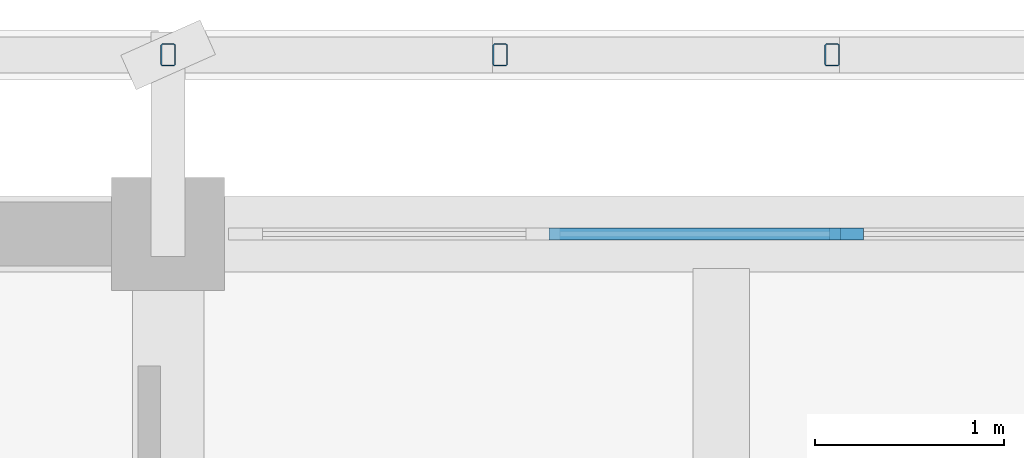
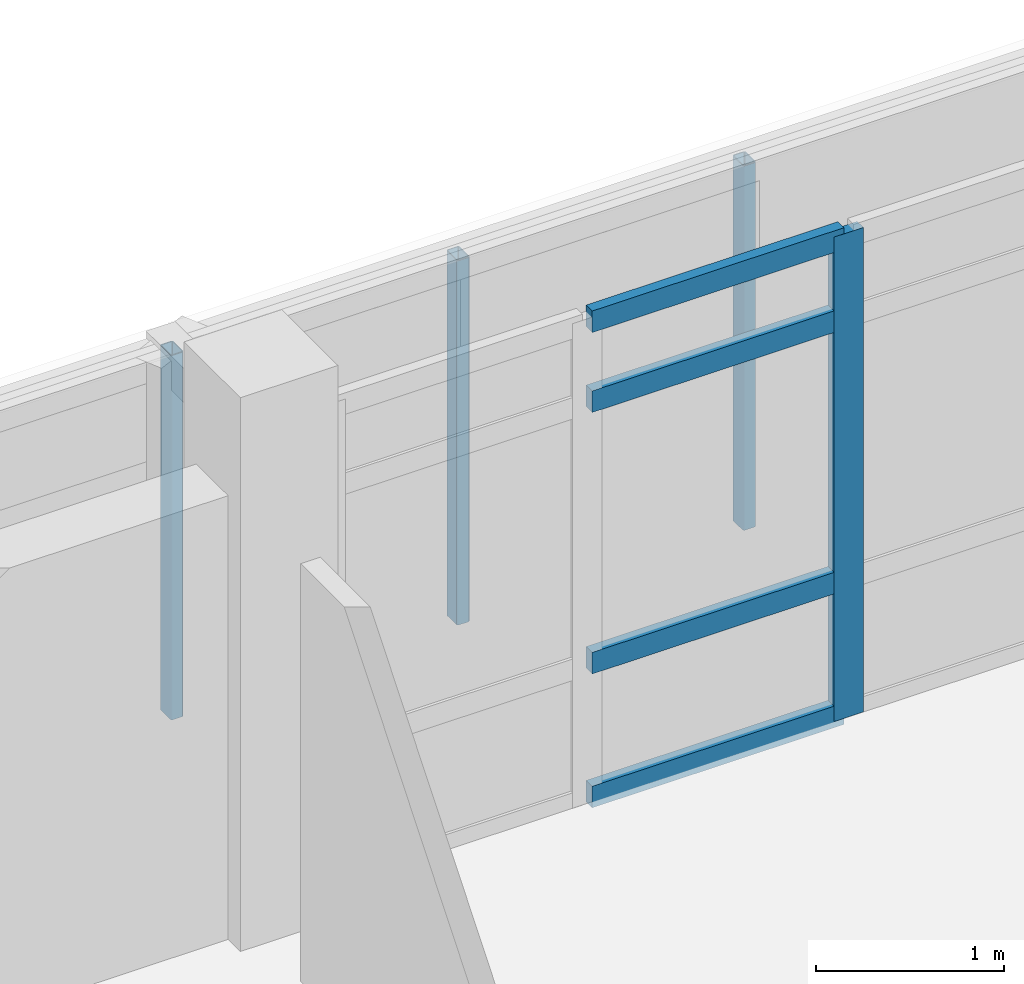
# One storey, part 27 of 50: 8 members, 1 element without a shape of its own.
"""IFC4 building model written with IfcOpenShell, lengths in metres."""

from ifc_helpers import new_model, si_unit, direction, frame, origin, origin_2d, place, context, subcontext, project, spatial, rectangle, hollow_rectangle, extrude, material, material_profile, profile_set, type_object, element, aggregate, save


model = new_model("IFC4")

# Units and contexts
model_context = context("Model", 3, precision=1e-05, world=origin(), true_north=direction((0.0, 1.0)))
body_context = subcontext(model_context, "Body", "Model", "MODEL_VIEW")
ifc_project = project(units=[si_unit("LENGTHUNIT", "METRE"), si_unit("AREAUNIT", "SQUARE_METRE"), si_unit("VOLUMEUNIT", "CUBIC_METRE"), si_unit("PLANEANGLEUNIT", "RADIAN"), si_unit("MASSUNIT", "GRAM", prefix="KILO")], contexts=[model_context])

# Site, building, storey
site_placement = place(None, origin())
site = spatial("IfcSite", under=ifc_project, at=site_placement, CompositionType="ELEMENT")
building_placement = place(site_placement, origin())
building = spatial("IfcBuilding", under=site, at=building_placement, Name="Cinderway Yard Community Centre", CompositionType="ELEMENT")
storey_placement = place(building_placement, frame((0.0, 0.0, 12.89990234375)))
storey = spatial("IfcBuildingStorey", under=building, at=storey_placement, Name="L03", CompositionType="ELEMENT", Elevation=12.89990234375)

# Curtain wall, members
ifc_material_1 = material(Name="Aluminium 6063-T6", Category="aluminium")
curtain_wall_type = type_object("IfcCurtainWallType", Name="ENV-CW-TYPE-33", PredefinedType="USERDEFINED", material=ifc_material_1)
curtain_wall_placement = place(storey_placement, origin())
curtain_wall = element("IfcCurtainWall", 1, at=curtain_wall_placement, inside=storey, type_object=curtain_wall_type, Name="V4 Street Curtain Wall ENV-CW-L03-HS-0169", ObjectType="GLAZED CURTAIN WALL", PredefinedType="USERDEFINED")
ifc_material_profile_1 = material_profile(ifc_material_1, rectangle(XDim=0.06494140625, YDim=0.179931640625, at=origin_2d()), Name="Aluminium 6063-T6")
ifc_profile_set_1 = profile_set([ifc_material_profile_1], Name="Aluminium 6063-T6")
member_type_1 = type_object("IfcMemberType", Name="ENV-CW-MULL-180", PredefinedType="MULLION", material=ifc_profile_set_1)
member_1_placement = place(storey_placement, frame((105.196044921875, 115.199951171875, 0.0), z_axis=(0.0, 0.0, 1.0), x_axis=(0.0, 1.0, 0.0)))
member_1 = element("IfcMember", 2, at=member_1_placement, type_object=member_type_1, Name="CW-33 mullion 3", PredefinedType="MULLION", context=body_context, shape_type="SweptSolid", body=[
    extrude(rectangle(XDim=0.06494140625, YDim=0.179931640625, at=origin_2d()), origin(), (0.0, 0.0, 1.0), 3.150146484375),
])
ifc_material_profile_2 = material_profile(ifc_material_1, rectangle(XDim=0.06494140625, YDim=0.139892578125, at=origin_2d()), Name="Aluminium 6063-T6")
ifc_profile_set_2 = profile_set([ifc_material_profile_2], Name="Aluminium 6063-T6")
member_type_2 = type_object("IfcMemberType", Name="ENV-CW-TRAN-140", PredefinedType="USERDEFINED", material=ifc_profile_set_2)
member_2_placement = place(storey_placement, frame((103.617919921875, 115.199951171875, 0.030029296875), z_axis=(1.0, 0.0, 0.0), x_axis=(0.0, 1.0, 0.0)))
member_2 = element("IfcMember", 3, at=member_2_placement, type_object=member_type_2, Name="CW-33 transom 2.1", ObjectType="TRANSOM", PredefinedType="USERDEFINED", context=body_context, shape_type="SweptSolid", body=[
    extrude(rectangle(XDim=0.06494140625, YDim=0.139892578125, at=origin_2d()), origin(), (0.0, 0.0, 1.0), 1.548095703125),
])
member_3_placement = place(storey_placement, frame((103.617919921875, 115.199951171875, 0.900146484375), z_axis=(1.0, 0.0, 0.0), x_axis=(0.0, 1.0, 0.0)))
member_3 = element("IfcMember", 4, at=member_3_placement, type_object=member_type_2, Name="CW-33 transom 2.2", ObjectType="TRANSOM", PredefinedType="USERDEFINED", context=body_context, shape_type="SweptSolid", body=[
    extrude(rectangle(XDim=0.06494140625, YDim=0.139892578125, at=origin_2d()), origin(), (0.0, 0.0, 1.0), 1.548095703125),
])
member_4_placement = place(storey_placement, frame((103.617919921875, 115.199951171875, 2.60009765625), z_axis=(1.0, 0.0, 0.0), x_axis=(0.0, 1.0, 0.0)))
member_4 = element("IfcMember", 5, at=member_4_placement, type_object=member_type_2, Name="CW-33 transom 2.3", ObjectType="TRANSOM", PredefinedType="USERDEFINED", context=body_context, shape_type="SweptSolid", body=[
    extrude(rectangle(XDim=0.06494140625, YDim=0.139892578125, at=origin_2d()), origin(), (0.0, 0.0, 1.0), 1.548095703125),
])
member_5_placement = place(storey_placement, frame((103.617919921875, 115.199951171875, 3.1201171875), z_axis=(1.0, 0.0, 0.0), x_axis=(0.0, 1.0, 0.0)))
member_5 = element("IfcMember", 6, at=member_5_placement, type_object=member_type_2, Name="CW-33 transom 2.4", ObjectType="TRANSOM", PredefinedType="USERDEFINED", context=body_context, shape_type="SweptSolid", body=[
    extrude(rectangle(XDim=0.06494140625, YDim=0.139892578125, at=origin_2d()), origin(), (0.0, 0.0, 1.0), 1.548095703125),
])
aggregate(curtain_wall, [member_1, member_2, member_3, member_4, member_5])

# Members
ifc_material_2 = material(Name="Steel S355", Category="steel")
ifc_material_profile_3 = material_profile(ifc_material_2, hollow_rectangle(XDim=0.080078125, YDim=0.1201171875, WallThickness=0.00634765625, InnerFilletRadius=0.00634765625, OuterFilletRadius=0.0126953125, at=origin_2d()), Name="Steel S355")
ifc_profile_set_3 = profile_set([ifc_material_profile_3], Name="Steel S355")
member_type_3 = type_object("IfcMemberType", Name="ENV-MEM-SCREEN-RAIL-120", PredefinedType="STRINGER", material=ifc_profile_set_3)
for number, where, z_axis, x_axis, name in (
    (7, (101.60009765625, 116.14990234375, 0.690185546875), (0.0, 0.0, 1.0), (1.0, 0.0, 0.0), "Screen vertical mullion 0234"),
    (8, (103.360107421875, 116.14990234375, 0.690185546875), (0.0, 0.0, 1.0), (1.0, 0.0, 0.0), "Screen vertical mullion 0238"),
    (9, (105.1201171875, 116.14990234375, 0.690185546875), (0.0, 0.0, 1.0), (1.0, 0.0, 0.0), "Screen vertical mullion 0239"),
):
    element("IfcMember", number, at=place(storey_placement, frame(where, z_axis=z_axis, x_axis=x_axis)), inside=storey, type_object=member_type_3, Name=name, PredefinedType="STRINGER", context=body_context, shape_type="SweptSolid", body=[
        extrude(hollow_rectangle(XDim=0.080078125, YDim=0.1201171875, WallThickness=0.00634765625, InnerFilletRadius=0.00634765625, OuterFilletRadius=0.0126953125, at=origin_2d()), origin(), (0.0, 0.0, 1.0), 2.369873046875),
    ])

save(model, "model.ifc")
